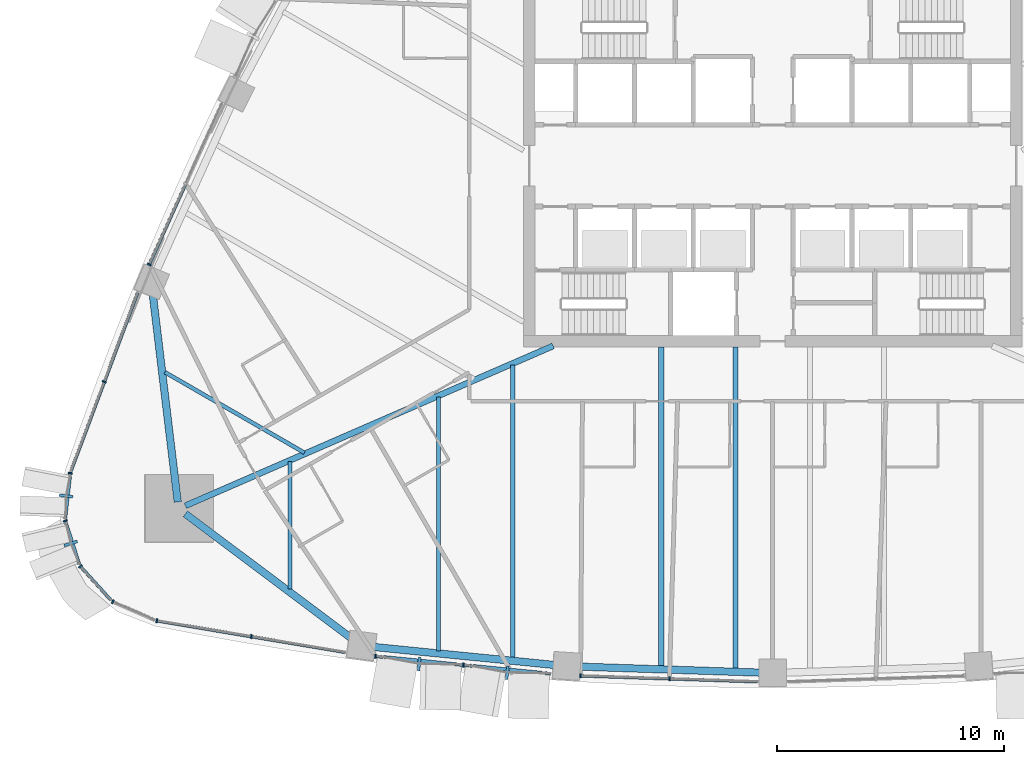
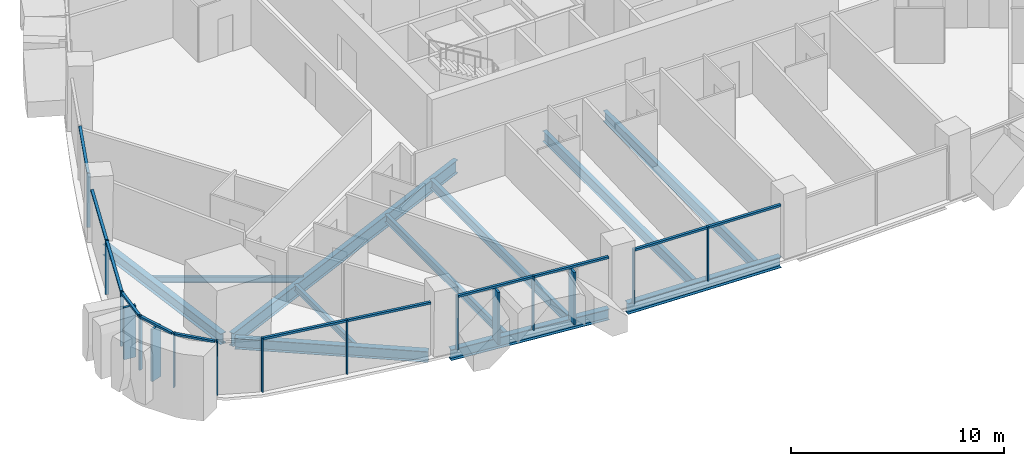
# One storey, part 2 of 18: 28 members, 11 beams, 9 elements without a shape of their own.
"""IFC4 building model written with IfcOpenShell, lengths in metres."""

from ifc_helpers import new_model, si_unit, direction, frame, origin, origin_2d, place, context, subcontext, project, spatial, rectangle, i_section, extrude, material, layer, layer_set, material_profile, profile_set, type_object, element, aggregate, save


model = new_model("IFC4")

# Units and contexts
model_context = context("Model", 3, precision=1e-05, world=origin(), true_north=direction((0.0, 1.0)))
body_context = subcontext(model_context, "Body", "Model", "MODEL_VIEW")
ifc_project = project(units=[si_unit("LENGTHUNIT", "METRE"), si_unit("AREAUNIT", "SQUARE_METRE"), si_unit("VOLUMEUNIT", "CUBIC_METRE"), si_unit("PLANEANGLEUNIT", "RADIAN"), si_unit("MASSUNIT", "GRAM", prefix="KILO")], contexts=[model_context])

# Site, building, storey
site_placement = place(None, origin())
site = spatial("IfcSite", under=ifc_project, at=site_placement, CompositionType="ELEMENT")
building_placement = place(site_placement, origin())
building = spatial("IfcBuilding", under=site, at=building_placement, Name="Sierra Prisma Convention Tower", CompositionType="ELEMENT")
storey_placement = place(building_placement, frame((0.0, 0.0, 81.300048828125)))
storey = spatial("IfcBuildingStorey", under=building, at=storey_placement, Name="L16", CompositionType="ELEMENT", Elevation=81.300048828125)

# Curtain wall, members
ifc_material_1 = material(Name="Aluminium and glass curtain wall", Category="aluminium")
ifc_layer_1 = layer(ifc_material_1, 0.179931640625)
ifc_layer_set_1 = layer_set([ifc_layer_1], Name="CW-2 Faceted crystal curtain wall")
curtain_wall_type_1 = type_object("IfcCurtainWallType", Name="CW-2 Faceted crystal curtain wall", PredefinedType="NOTDEFINED", material=ifc_layer_set_1)
curtain_wall_1_placement = place(storey_placement, origin())
curtain_wall_1 = element("IfcCurtainWall", 1, at=curtain_wall_1_placement, inside=storey, type_object=curtain_wall_type_1, Name="CW-2 S2 L16", PredefinedType="NOTDEFINED")
ifc_material_2 = material(Name="Aluminium 6063-T6 bronze anodised", Category="aluminium")
ifc_material_profile_1 = material_profile(ifc_material_2, rectangle(XDim=0.1201171875, YDim=0.60009765625, at=origin_2d()), Name="ALU RIDGE BLADE 120x600")
ifc_profile_set_1 = profile_set([ifc_material_profile_1], Name="Aluminium 6063-T6 bronze anodised")
member_type_1 = type_object("IfcMemberType", Name="CW hip bronze", PredefinedType="MULLION", material=ifc_profile_set_1)
member_1_placement = place(storey_placement, frame((-15.606201171875, -21.995361328125, 0.0), z_axis=(0.0, 0.0, 1.0), x_axis=(0.995057706085, -0.099298346218, 0.0)))
member_1 = element("IfcMember", 2, at=member_1_placement, type_object=member_type_1, Name="CW-2 ridge S2.1", PredefinedType="MULLION", context=body_context, shape_type="SweptSolid", body=[
    extrude(rectangle(XDim=0.1201171875, YDim=0.60009765625, at=origin_2d()), origin(), (0.0, 0.0, 1.0), 2.97998046875),
])
member_2_placement = place(storey_placement, frame((-11.717529296875, -22.38330078125, 0.0), z_axis=(0.0, 0.0, 1.0), x_axis=(0.995057706085, -0.099298346218, 0.0)))
member_2 = element("IfcMember", 3, at=member_2_placement, type_object=member_type_1, Name="CW-2 ridge S2.2", PredefinedType="MULLION", context=body_context, shape_type="SweptSolid", body=[
    extrude(rectangle(XDim=0.1201171875, YDim=0.60009765625, at=origin_2d()), origin(), (0.0, 0.0, 1.0), 2.97998046875),
])

# Curtain wall, member
curtain_wall_2_placement = place(storey_placement, origin())
curtain_wall_2 = element("IfcCurtainWall", 4, at=curtain_wall_2_placement, inside=storey, type_object=curtain_wall_type_1, Name="CW-2 SW1 L16", PredefinedType="NOTDEFINED")
member_3_placement = place(storey_placement, frame((-31.19287109375, -14.578369140625, 0.0), z_axis=(0.0, 0.0, 1.0), x_axis=(-0.11236817626, -0.993666640762, 0.0)))
member_3 = element("IfcMember", 5, at=member_3_placement, type_object=member_type_1, Name="CW-2 ridge SW1.1", PredefinedType="MULLION", context=body_context, shape_type="SweptSolid", body=[
    extrude(rectangle(XDim=0.1201171875, YDim=0.60009765625, at=origin_2d()), origin(), (0.0, 0.0, 1.0), 2.97998046875),
])

curtain_wall_3_placement = place(storey_placement, origin())
curtain_wall_3 = element("IfcCurtainWall", 6, at=curtain_wall_3_placement, inside=storey, type_object=curtain_wall_type_1, Name="CW-2 SW2 L16", PredefinedType="NOTDEFINED")
member_4_placement = place(storey_placement, frame((-30.98388671875, -16.673095703125, 0.0), z_axis=(0.0, 0.0, 1.0), x_axis=(0.30651584087, -0.951865557364, 0.0)))
member_4 = element("IfcMember", 7, at=member_4_placement, type_object=member_type_1, Name="CW-2 ridge SW2.1", PredefinedType="MULLION", context=body_context, shape_type="SweptSolid", body=[
    extrude(rectangle(XDim=0.1201171875, YDim=0.60009765625, at=origin_2d()), origin(), (0.0, 0.0, 1.0), 2.97998046875),
])

# Curtain wall, members
ifc_material_3 = material(Name="Aluminium and glass curtain wall", Category="aluminium")
ifc_layer_2 = layer(ifc_material_3, 0.179931640625)
ifc_layer_set_2 = layer_set([ifc_layer_2], Name="CW-1 Plain shaft curtain wall")
curtain_wall_type_2 = type_object("IfcCurtainWallType", Name="CW-1 Plain shaft curtain wall", PredefinedType="NOTDEFINED", material=ifc_layer_set_2)
curtain_wall_4_placement = place(storey_placement, origin())
curtain_wall_4 = element("IfcCurtainWall", 8, at=curtain_wall_4_placement, inside=storey, type_object=curtain_wall_type_2, Name="CW-1 S1 L16", PredefinedType="NOTDEFINED")
ifc_material_4 = material(Name="Aluminium 6063-T6 bronze anodised", Category="aluminium")
ifc_material_profile_2 = material_profile(ifc_material_4, rectangle(XDim=0.179931640625, YDim=0.070068359375, at=origin_2d()), Name="ALU MULLION 70x180")
ifc_profile_set_2 = profile_set([ifc_material_profile_2], Name="Aluminium 6063-T6 bronze anodised")
member_type_2 = type_object("IfcMemberType", Name="CW mullion bronze", PredefinedType="MULLION", material=ifc_profile_set_2)
member_5_placement = place(storey_placement, frame((-27.184326171875, -20.08251953125, 0.0), z_axis=(0.0, 0.0, 1.0), x_axis=(0.165012247652, 0.986291517821, 0.0)))
member_5 = element("IfcMember", 9, at=member_5_placement, type_object=member_type_2, Name="CW-1 mullion S1.1", PredefinedType="MULLION", context=body_context, shape_type="SweptSolid", body=[
    extrude(rectangle(XDim=0.179931640625, YDim=0.070068359375, at=origin_2d()), origin(), (0.0, 0.0, 1.0), 3.099853515625),
])
member_6_placement = place(storey_placement, frame((-23.011474609375, -20.780517578125, 0.0), z_axis=(0.0, 0.0, 1.0), x_axis=(0.165012247652, 0.986291517821, 0.0)))
member_6 = element("IfcMember", 10, at=member_6_placement, type_object=member_type_2, Name="CW-1 mullion S1.2", PredefinedType="MULLION", context=body_context, shape_type="SweptSolid", body=[
    extrude(rectangle(XDim=0.179931640625, YDim=0.070068359375, at=origin_2d()), origin(), (0.0, 0.0, 1.0), 3.099853515625),
])

# Member
member_7_placement = place(storey_placement, frame((-17.53564453125, -21.651123046875, 0.0), z_axis=(0.0, 0.0, 1.0), x_axis=(0.099298346218, 0.995057706085, 0.0)))
member_7 = element("IfcMember", 11, at=member_7_placement, type_object=member_type_2, Name="CW-1 mullion S2.1", PredefinedType="MULLION", context=body_context, shape_type="SweptSolid", body=[
    extrude(rectangle(XDim=0.179931640625, YDim=0.070068359375, at=origin_2d()), origin(), (0.0, 0.0, 1.0), 3.099853515625),
])

member_8_placement = place(storey_placement, frame((-13.64697265625, -22.0390625, 0.0), z_axis=(0.0, 0.0, 1.0), x_axis=(0.099298346218, 0.995057706085, 0.0)))
member_8 = element("IfcMember", 12, at=member_8_placement, type_object=member_type_2, Name="CW-1 mullion S2.2", PredefinedType="MULLION", context=body_context, shape_type="SweptSolid", body=[
    extrude(rectangle(XDim=0.179931640625, YDim=0.070068359375, at=origin_2d()), origin(), (0.0, 0.0, 1.0), 3.099853515625),
])

# Curtain wall, members
curtain_wall_5_placement = place(storey_placement, origin())
curtain_wall_5 = element("IfcCurtainWall", 13, at=curtain_wall_5_placement, inside=storey, type_object=curtain_wall_type_2, Name="CW-1 S3 L16", PredefinedType="NOTDEFINED")
member_9_placement = place(storey_placement, frame((-8.478759765625, -22.51171875, 0.0), z_axis=(0.0, 0.0, 1.0), x_axis=(0.033148012377, 0.999450453637, 0.0)))
member_9 = element("IfcMember", 14, at=member_9_placement, type_object=member_type_2, Name="CW-1 mullion S3.1", PredefinedType="MULLION", context=body_context, shape_type="SweptSolid", body=[
    extrude(rectangle(XDim=0.179931640625, YDim=0.070068359375, at=origin_2d()), origin(), (0.0, 0.0, 1.0), 3.099853515625),
])
member_10_placement = place(storey_placement, frame((-4.556640625, -22.641845703125, 0.0), z_axis=(0.0, 0.0, 1.0), x_axis=(0.033148012377, 0.999450453637, 0.0)))
member_10 = element("IfcMember", 15, at=member_10_placement, type_object=member_type_2, Name="CW-1 mullion S3.2", PredefinedType="MULLION", context=body_context, shape_type="SweptSolid", body=[
    extrude(rectangle(XDim=0.179931640625, YDim=0.070068359375, at=origin_2d()), origin(), (0.0, 0.0, 1.0), 3.099853515625),
])

# Curtain wall, member
curtain_wall_6_placement = place(storey_placement, origin())
curtain_wall_6 = element("IfcCurtainWall", 16, at=curtain_wall_6_placement, inside=storey, type_object=curtain_wall_type_2, Name="CW-1 NW5 L16", PredefinedType="NOTDEFINED")
member_11_placement = place(storey_placement, frame((-27.51806640625, -4.36083984375, 0.0), z_axis=(0.0, 0.0, 1.0), x_axis=(0.91139442481, -0.411533962664, 0.0)))
member_11 = element("IfcMember", 17, at=member_11_placement, type_object=member_type_2, Name="CW-1 mullion NW5.3", PredefinedType="MULLION", context=body_context, shape_type="SweptSolid", body=[
    extrude(rectangle(XDim=0.179931640625, YDim=0.070068359375, at=origin_2d()), origin(), (0.0, 0.0, 1.0), 3.099853515625),
])

curtain_wall_7_placement = place(storey_placement, origin())
curtain_wall_7 = element("IfcCurtainWall", 18, at=curtain_wall_7_placement, inside=storey, type_object=curtain_wall_type_2, Name="CW-1 NW6 L16", PredefinedType="NOTDEFINED")
member_12_placement = place(storey_placement, frame((-29.502197265625, -9.538330078125, 0.0), z_axis=(0.0, 0.0, 1.0), x_axis=(0.936659633796, -0.350240960509, 0.0)))
member_12 = element("IfcMember", 19, at=member_12_placement, type_object=member_type_2, Name="CW-1 mullion NW6.2", PredefinedType="MULLION", context=body_context, shape_type="SweptSolid", body=[
    extrude(rectangle(XDim=0.179931640625, YDim=0.070068359375, at=origin_2d()), origin(), (0.0, 0.0, 1.0), 3.099853515625),
])

# Member
member_13_placement = place(storey_placement, frame((-31.000244140625, -13.568603515625, 0.0), z_axis=(0.0, 0.0, 1.0), x_axis=(0.993666640762, -0.11236817626, 0.0)))
member_13 = element("IfcMember", 20, at=member_13_placement, type_object=member_type_2, Name="CW-1 mullion SW1.1", PredefinedType="MULLION", context=body_context, shape_type="SweptSolid", body=[
    extrude(rectangle(XDim=0.179931640625, YDim=0.070068359375, at=origin_2d()), origin(), (0.0, 0.0, 1.0), 3.099853515625),
])

member_14_placement = place(storey_placement, frame((-31.223876953125, -15.673583984375, 0.0), z_axis=(0.0, 0.0, 1.0), x_axis=(0.951865557364, 0.30651584087, 0.0)))
member_14 = element("IfcMember", 21, at=member_14_placement, type_object=member_type_2, Name="CW-1 mullion SW2.1", PredefinedType="MULLION", context=body_context, shape_type="SweptSolid", body=[
    extrude(rectangle(XDim=0.179931640625, YDim=0.070068359375, at=origin_2d()), origin(), (0.0, 0.0, 1.0), 3.099853515625),
])

# Curtain wall, member
curtain_wall_8_placement = place(storey_placement, origin())
curtain_wall_8 = element("IfcCurtainWall", 22, at=curtain_wall_8_placement, inside=storey, type_object=curtain_wall_type_2, Name="CW-1 SW3 L16", PredefinedType="NOTDEFINED")
member_15_placement = place(storey_placement, frame((-30.561279296875, -17.68408203125, 0.0), z_axis=(0.0, 0.0, 1.0), x_axis=(0.741383283538, 0.67108183323, 0.0)))
member_15 = element("IfcMember", 23, at=member_15_placement, type_object=member_type_2, Name="CW-1 mullion SW3.1", PredefinedType="MULLION", context=body_context, shape_type="SweptSolid", body=[
    extrude(rectangle(XDim=0.179931640625, YDim=0.070068359375, at=origin_2d()), origin(), (0.0, 0.0, 1.0), 3.099853515625),
])

curtain_wall_9_placement = place(storey_placement, origin())
curtain_wall_9 = element("IfcCurtainWall", 24, at=curtain_wall_9_placement, inside=storey, type_object=curtain_wall_type_2, Name="CW-1 SW4 L16", PredefinedType="NOTDEFINED")
member_16_placement = place(storey_placement, frame((-29.130126953125, -19.24365234375, 0.0), z_axis=(0.0, 0.0, 1.0), x_axis=(0.399519625163, 0.916724641924, 0.0)))
member_16 = element("IfcMember", 25, at=member_16_placement, type_object=member_type_2, Name="CW-1 mullion SW4.1", PredefinedType="MULLION", context=body_context, shape_type="SweptSolid", body=[
    extrude(rectangle(XDim=0.179931640625, YDim=0.070068359375, at=origin_2d()), origin(), (0.0, 0.0, 1.0), 3.099853515625),
])
aggregate(curtain_wall_9, [member_16])

# Member
ifc_material_5 = material(Name="Aluminium 6063-T6 bronze anodised", Category="aluminium")
ifc_material_profile_3 = material_profile(ifc_material_5, rectangle(XDim=0.139892578125, YDim=0.1201171875, at=origin_2d()), Name="ALU TRANSOM 120x140")
ifc_profile_set_3 = profile_set([ifc_material_profile_3], Name="Aluminium 6063-T6 bronze anodised")
member_type_3 = type_object("IfcMemberType", Name="CW transom bronze", PredefinedType="USERDEFINED", material=ifc_profile_set_3)
member_17_placement = place(storey_placement, frame((-27.149658203125, -20.088134765625, 3.0400390625), z_axis=(0.986292235416, -0.165007958471, 0.0), x_axis=(0.165007958471, 0.986292235416, 0.0)))
member_17 = element("IfcMember", 26, at=member_17_placement, type_object=member_type_3, Name="CW-1 transom S1.1", ObjectType="TRANSOM", PredefinedType="USERDEFINED", context=body_context, shape_type="SweptSolid", body=[
    extrude(rectangle(XDim=0.139892578125, YDim=0.1201171875, at=origin_2d()), origin(), (0.0, 0.0, 1.0), 4.16064453125),
])

member_18_placement = place(storey_placement, frame((-22.97705078125, -20.786376953125, 3.0400390625), z_axis=(0.986292235416, -0.165007958471, 0.0), x_axis=(0.165007958471, 0.986292235416, 0.0)))
member_18 = element("IfcMember", 27, at=member_18_placement, type_object=member_type_3, Name="CW-1 transom S1.2", ObjectType="TRANSOM", PredefinedType="USERDEFINED", context=body_context, shape_type="SweptSolid", body=[
    extrude(rectangle(XDim=0.139892578125, YDim=0.1201171875, at=origin_2d()), origin(), (0.0, 0.0, 1.0), 4.16064453125),
])

aggregate(curtain_wall_4, [member_5, member_6, member_17, member_18])

member_19_placement = place(storey_placement, frame((-17.500732421875, -21.654541015625, 3.0400390625), z_axis=(0.99505795211, -0.099295880793, 0.0), x_axis=(0.099295880793, 0.99505795211, 0.0)))
member_19 = element("IfcMember", 28, at=member_19_placement, type_object=member_type_3, Name="CW-1 transom S2.1", ObjectType="TRANSOM", PredefinedType="USERDEFINED", context=body_context, shape_type="SweptSolid", body=[
    extrude(rectangle(XDim=0.139892578125, YDim=0.1201171875, at=origin_2d()), origin(), (0.0, 0.0, 1.0), 3.838134765625),
])

member_20_placement = place(storey_placement, frame((-13.612060546875, -22.04248046875, 3.0400390625), z_axis=(0.99505795211, -0.099295880793, 0.0), x_axis=(0.099295880793, 0.99505795211, 0.0)))
member_20 = element("IfcMember", 29, at=member_20_placement, type_object=member_type_3, Name="CW-1 transom S2.2", ObjectType="TRANSOM", PredefinedType="USERDEFINED", context=body_context, shape_type="SweptSolid", body=[
    extrude(rectangle(XDim=0.139892578125, YDim=0.1201171875, at=origin_2d()), origin(), (0.0, 0.0, 1.0), 3.838134765625),
])

aggregate(curtain_wall_1, [member_7, member_8, member_19, member_1, member_20, member_2])

member_21_placement = place(storey_placement, frame((-8.44384765625, -22.5126953125, 3.0400390625), z_axis=(0.999448977161, -0.033192499939, 0.0), x_axis=(0.033192499939, 0.999448977161, 0.0)))
member_21 = element("IfcMember", 30, at=member_21_placement, type_object=member_type_3, Name="CW-1 transom S3.1", ObjectType="TRANSOM", PredefinedType="USERDEFINED", context=body_context, shape_type="SweptSolid", body=[
    extrude(rectangle(XDim=0.139892578125, YDim=0.1201171875, at=origin_2d()), origin(), (0.0, 0.0, 1.0), 3.854248046875),
])

member_22_placement = place(storey_placement, frame((-4.521728515625, -22.642822265625, 3.0400390625), z_axis=(0.999448977161, -0.033192499939, 0.0), x_axis=(0.033192499939, 0.999448977161, 0.0)))
member_22 = element("IfcMember", 31, at=member_22_placement, type_object=member_type_3, Name="CW-1 transom S3.2", ObjectType="TRANSOM", PredefinedType="USERDEFINED", context=body_context, shape_type="SweptSolid", body=[
    extrude(rectangle(XDim=0.139892578125, YDim=0.1201171875, at=origin_2d()), origin(), (0.0, 0.0, 1.0), 3.854248046875),
])

aggregate(curtain_wall_5, [member_9, member_10, member_21, member_22])

member_23_placement = place(storey_placement, frame((-25.92431640625, -0.8310546875, 3.0400390625), z_axis=(-0.411520248068, -0.911400617418, 0.0), x_axis=(0.911400617418, -0.411520248068, 0.0)))
member_23 = element("IfcMember", 32, at=member_23_placement, type_object=member_type_3, Name="CW-1 transom NW5.2", ObjectType="TRANSOM", PredefinedType="USERDEFINED", context=body_context, shape_type="SweptSolid", body=[
    extrude(rectangle(XDim=0.139892578125, YDim=0.1201171875, at=origin_2d()), origin(), (0.0, 0.0, 1.0), 3.837890625),
])

aggregate(curtain_wall_6, [member_11, member_23])

member_24_placement = place(storey_placement, frame((-28.03271484375, -5.6083984375, 3.0400390625), z_axis=(-0.350242329103, -0.936659122042, 0.0), x_axis=(0.936659122042, -0.350242329103, 0.0)))
member_24 = element("IfcMember", 33, at=member_24_placement, type_object=member_type_3, Name="CW-1 transom NW6.1", ObjectType="TRANSOM", PredefinedType="USERDEFINED", context=body_context, shape_type="SweptSolid", body=[
    extrude(rectangle(XDim=0.139892578125, YDim=0.1201171875, at=origin_2d()), origin(), (0.0, 0.0, 1.0), 4.16064453125),
])

member_25_placement = place(storey_placement, frame((-29.5146484375, -9.571044921875, 3.0400390625), z_axis=(-0.350190848506, -0.936678370425, 0.0), x_axis=(0.936678370425, -0.350190848506, 0.0)))
member_25 = element("IfcMember", 34, at=member_25_placement, type_object=member_type_3, Name="CW-1 transom NW6.2", ObjectType="TRANSOM", PredefinedType="USERDEFINED", context=body_context, shape_type="SweptSolid", body=[
    extrude(rectangle(XDim=0.139892578125, YDim=0.1201171875, at=origin_2d()), origin(), (0.0, 0.0, 1.0), 4.16064453125),
])

aggregate(curtain_wall_7, [member_12, member_24, member_25])

member_26_placement = place(storey_placement, frame((-31.004150390625, -13.603515625, 3.0400390625), z_axis=(-0.112339692694, -0.993669861395, 0.0), x_axis=(0.993669861395, -0.112339692694, 0.0)))
member_26 = element("IfcMember", 35, at=member_26_placement, type_object=member_type_3, Name="CW-1 transom SW1.1", ObjectType="TRANSOM", PredefinedType="USERDEFINED", context=body_context, shape_type="SweptSolid", body=[
    extrude(rectangle(XDim=0.139892578125, YDim=0.1201171875, at=origin_2d()), origin(), (0.0, 0.0, 1.0), 1.979736328125),
])

aggregate(curtain_wall_2, [member_13, member_26, member_3])

member_27_placement = place(storey_placement, frame((-31.213134765625, -15.70703125, 3.0400390625), z_axis=(0.306555983642, -0.951852629819, 0.0), x_axis=(0.951852629819, 0.306555983642, 0.0)))
member_27 = element("IfcMember", 36, at=member_27_placement, type_object=member_type_3, Name="CW-1 transom SW2.1", ObjectType="TRANSOM", PredefinedType="USERDEFINED", context=body_context, shape_type="SweptSolid", body=[
    extrude(rectangle(XDim=0.139892578125, YDim=0.1201171875, at=origin_2d()), origin(), (0.0, 0.0, 1.0), 1.979736328125),
])

aggregate(curtain_wall_3, [member_14, member_27, member_4])

member_28_placement = place(storey_placement, frame((-30.537841796875, -17.7099609375, 3.0400390625), z_axis=(0.671155441819, -0.741316648212, 0.0), x_axis=(0.741316648212, 0.671155441819, 0.0)))
member_28 = element("IfcMember", 37, at=member_28_placement, type_object=member_type_3, Name="CW-1 transom SW3.1", ObjectType="TRANSOM", PredefinedType="USERDEFINED", context=body_context, shape_type="SweptSolid", body=[
    extrude(rectangle(XDim=0.139892578125, YDim=0.1201171875, at=origin_2d()), origin(), (0.0, 0.0, 1.0), 1.97998046875),
])

aggregate(curtain_wall_8, [member_15, member_28])

# Beams
ifc_material_6 = material(Name="Steel ASTM A992 Gr 50", Category="steel")
ifc_material_profile_4 = material_profile(ifc_material_6, i_section(OverallWidth=0.172119140625, OverallDepth=0.35791015625, WebThickness=0.0078125, FlangeThickness=0.01318359375, at=origin_2d()), Name="W360x57")
ifc_profile_set_4 = profile_set([ifc_material_profile_4], Name="Steel ASTM A992 Gr 50")
beam_type_1 = type_object("IfcBeamType", Name="Floor joist W360x57", PredefinedType="JOIST", material=ifc_profile_set_4)
beam_1_placement = place(storey_placement, frame((-21.306640625, -18.674072265625, -0.3291015625), z_axis=(0.0, 1.0, 0.0), x_axis=(-1.0, 0.0, 0.0)))
element("IfcBeam", 38, at=beam_1_placement, inside=storey, type_object=beam_type_1, Name="Floor joist L16 S02", PredefinedType="JOIST", context=body_context, shape_type="SweptSolid", body=[
    extrude(i_section(OverallWidth=0.172119140625, OverallDepth=0.35791015625, WebThickness=0.0078125, FlangeThickness=0.01318359375, at=origin_2d()), origin(), (0.0, 0.0, 1.0), 5.61376953125),
])
beam_2_placement = place(storey_placement, frame((-26.82568359375, -9.115234375, -0.3291015625), z_axis=(0.866031695205, -0.499989102781, 0.0), x_axis=(0.499989102781, 0.866031695205, 0.0)))
element("IfcBeam", 39, at=beam_2_placement, inside=storey, type_object=beam_type_1, Name="Floor joist L16 NW15", PredefinedType="JOIST", context=body_context, shape_type="SweptSolid", body=[
    extrude(i_section(OverallWidth=0.172119140625, OverallDepth=0.35791015625, WebThickness=0.0078125, FlangeThickness=0.01318359375, at=origin_2d()), origin(), (0.0, 0.0, 1.0), 7.106689453125),
])
ifc_material_7 = material(Name="Steel ASTM A992 Gr 50", Category="steel")
ifc_material_profile_5 = material_profile(ifc_material_7, i_section(OverallWidth=0.18994140625, OverallDepth=0.45703125, WebThickness=0.009033203125, FlangeThickness=0.014404296875, at=origin_2d()), Name="W460x74")
ifc_profile_set_5 = profile_set([ifc_material_profile_5], Name="Steel ASTM A992 Gr 50")
beam_type_2 = type_object("IfcBeamType", Name="Floor joist W460x74", PredefinedType="JOIST", material=ifc_profile_set_5)
beam_3_placement = place(storey_placement, frame((-14.750732421875, -21.413818359375, -0.378662109375), z_axis=(0.0, 1.0, 0.0), x_axis=(-1.0, 0.0, 0.0)))
element("IfcBeam", 40, at=beam_3_placement, inside=storey, type_object=beam_type_2, Name="Floor joist L16 S04", PredefinedType="JOIST", context=body_context, shape_type="SweptSolid", body=[
    extrude(i_section(OverallWidth=0.18994140625, OverallDepth=0.45703125, WebThickness=0.009033203125, FlangeThickness=0.014404296875, at=origin_2d()), origin(), (0.0, 0.0, 1.0), 11.20361328125),
])
ifc_material_8 = material(Name="Steel ASTM A992 Gr 50", Category="steel")
ifc_material_profile_6 = material_profile(ifc_material_8, i_section(OverallWidth=0.208984375, OverallDepth=0.532958984375, WebThickness=0.01025390625, FlangeThickness=0.015625, at=origin_2d()), Name="W530x92")
ifc_profile_set_6 = profile_set([ifc_material_profile_6], Name="Steel ASTM A992 Gr 50")
beam_type_3 = type_object("IfcBeamType", Name="Floor joist W530x92", PredefinedType="JOIST", material=ifc_profile_set_6)
beam_4_placement = place(storey_placement, frame((-11.472900390625, -21.740966796875, -0.41650390625), z_axis=(0.0, 1.0, 0.0), x_axis=(-1.0, 0.0, 0.0)))
element("IfcBeam", 41, at=beam_4_placement, inside=storey, type_object=beam_type_3, Name="Floor joist L16 S05", PredefinedType="JOIST", context=body_context, shape_type="SweptSolid", body=[
    extrude(i_section(OverallWidth=0.208984375, OverallDepth=0.532958984375, WebThickness=0.01025390625, FlangeThickness=0.015625, at=origin_2d()), origin(), (0.0, 0.0, 1.0), 12.955810546875),
])
ifc_material_9 = material(Name="Steel ASTM A992 Gr 50", Category="steel")
ifc_material_profile_7 = material_profile(ifc_material_9, i_section(OverallWidth=0.22802734375, OverallDepth=0.60302734375, WebThickness=0.010498046875, FlangeThickness=0.014892578125, at=origin_2d()), Name="W610x101")
ifc_profile_set_7 = profile_set([ifc_material_profile_7], Name="Steel ASTM A992 Gr 50")
beam_type_4 = type_object("IfcBeamType", Name="Floor joist W610x101", PredefinedType="JOIST", material=ifc_profile_set_7)
beam_5_placement = place(storey_placement, frame((-4.9169921875, -22.1171875, -0.45166015625), z_axis=(0.0, 1.0, 0.0), x_axis=(-1.0, 0.0, 0.0)))
element("IfcBeam", 42, at=beam_5_placement, inside=storey, type_object=beam_type_4, Name="Floor joist L16 S07", PredefinedType="JOIST", context=body_context, shape_type="SweptSolid", body=[
    extrude(i_section(OverallWidth=0.22802734375, OverallDepth=0.60302734375, WebThickness=0.010498046875, FlangeThickness=0.014892578125, at=origin_2d()), origin(), (0.0, 0.0, 1.0), 14.1171875),
])
beam_6_placement = place(storey_placement, frame((-1.638916015625, -22.225830078125, -0.45166015625), z_axis=(0.0, 1.0, 0.0), x_axis=(-1.0, 0.0, 0.0)))
element("IfcBeam", 43, at=beam_6_placement, inside=storey, type_object=beam_type_4, Name="Floor joist L16 S08", PredefinedType="JOIST", context=body_context, shape_type="SweptSolid", body=[
    extrude(i_section(OverallWidth=0.22802734375, OverallDepth=0.60302734375, WebThickness=0.010498046875, FlangeThickness=0.014892578125, at=origin_2d()), origin(), (0.0, 0.0, 1.0), 14.225830078125),
])
ifc_material_10 = material(Name="Steel ASTM A992 Gr 50", Category="steel")
ifc_material_profile_8 = material_profile(ifc_material_10, i_section(OverallWidth=0.264892578125, OverallDepth=0.7529296875, WebThickness=0.01318359375, FlangeThickness=0.01708984375, at=origin_2d()), Name="W760x147")
ifc_profile_set_8 = profile_set([ifc_material_profile_8], Name="Steel ASTM A992 Gr 50")
beam_type_5 = type_object("IfcBeamType", Name="Radial girder W760x147", PredefinedType="BEAM", material=ifc_profile_set_8)
beam_7_placement = place(storey_placement, frame((-25.923583984375, -15.009765625, -0.526611328125), z_axis=(0.917080142415, 0.398702912441, 0.0), x_axis=(-0.398702912441, 0.917080142415, 0.0)))
element("IfcBeam", 44, at=beam_7_placement, inside=storey, type_object=beam_type_5, Name="Radial girder L16 SW", PredefinedType="BEAM", context=body_context, shape_type="SweptSolid", body=[
    extrude(i_section(OverallWidth=0.264892578125, OverallDepth=0.7529296875, WebThickness=0.01318359375, FlangeThickness=0.01708984375, at=origin_2d()), origin(), (0.0, 0.0, 1.0), 17.701416015625),
])
ifc_material_11 = material(Name="Steel ASTM A992 Gr 50", Category="steel")
ifc_material_profile_9 = material_profile(ifc_material_11, i_section(OverallWidth=0.324951171875, OverallDepth=0.615966796875, WebThickness=0.013916015625, FlangeThickness=0.021484375, at=origin_2d()), Name="W610x174")
ifc_profile_set_9 = profile_set([ifc_material_profile_9], Name="Steel ASTM A992 Gr 50")
beam_type_6 = type_object("IfcBeamType", Name="Spandrel beam W610x174", PredefinedType="BEAM", material=ifc_profile_set_9)
beam_8_placement = place(storey_placement, frame((-25.923583984375, -15.365234375, -0.4580078125), z_axis=(0.80005130297, -0.599931589946, 0.0), x_axis=(0.599931589946, 0.80005130297, 0.0)))
element("IfcBeam", 45, at=beam_8_placement, inside=storey, type_object=beam_type_6, Name="Spandrel L16-01", PredefinedType="BEAM", context=body_context, shape_type="SweptSolid", body=[
    extrude(i_section(OverallWidth=0.324951171875, OverallDepth=0.615966796875, WebThickness=0.013916015625, FlangeThickness=0.021484375, at=origin_2d()), origin(), (0.0, 0.0, 1.0), 9.136474609375),
])
beam_9_placement = place(storey_placement, frame((-17.681640625, -21.234619140625, -0.4580078125), z_axis=(0.995058833867, -0.099287044189, 0.0), x_axis=(0.099287044189, 0.995058833867, 0.0)))
element("IfcBeam", 46, at=beam_9_placement, inside=storey, type_object=beam_type_6, Name="Spandrel L16-02", PredefinedType="BEAM", context=body_context, shape_type="SweptSolid", body=[
    extrude(i_section(OverallWidth=0.324951171875, OverallDepth=0.615966796875, WebThickness=0.013916015625, FlangeThickness=0.021484375, at=origin_2d()), origin(), (0.0, 0.0, 1.0), 8.14404296875),
])
beam_10_placement = place(storey_placement, frame((-8.619873046875, -22.10693359375, -0.4580078125), z_axis=(0.999450250592, -0.033154133864, 0.0), x_axis=(0.033154133864, 0.999450250592, 0.0)))
element("IfcBeam", 47, at=beam_10_placement, inside=storey, type_object=beam_type_6, Name="Spandrel L16-03", PredefinedType="BEAM", context=body_context, shape_type="SweptSolid", body=[
    extrude(i_section(OverallWidth=0.324951171875, OverallDepth=0.615966796875, WebThickness=0.013916015625, FlangeThickness=0.021484375, at=origin_2d()), origin(), (0.0, 0.0, 1.0), 8.144287109375),
])
beam_11_placement = place(storey_placement, frame((-27.3603515625, -5.697021484375, -0.4580078125), z_axis=(0.11950795072, -0.992833243659, 0.0), x_axis=(0.992833243659, 0.11950795072, 0.0)))
element("IfcBeam", 48, at=beam_11_placement, inside=storey, type_object=beam_type_6, Name="Spandrel L16-18", PredefinedType="BEAM", context=body_context, shape_type="SweptSolid", body=[
    extrude(i_section(OverallWidth=0.324951171875, OverallDepth=0.615966796875, WebThickness=0.013916015625, FlangeThickness=0.021484375, at=origin_2d()), origin(), (0.0, 0.0, 1.0), 9.209228515625),
])

save(model, "model.ifc")
